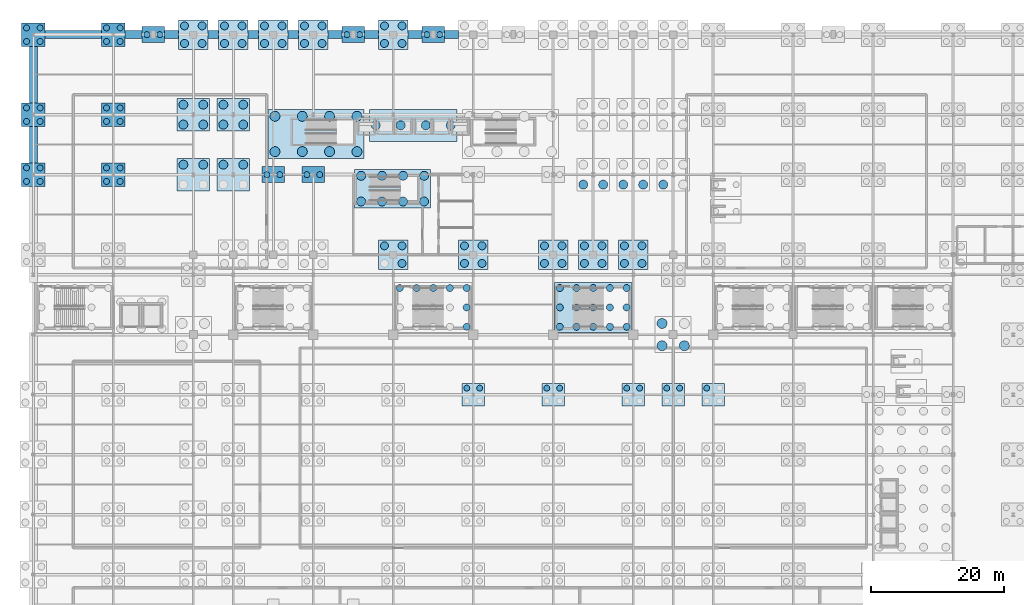
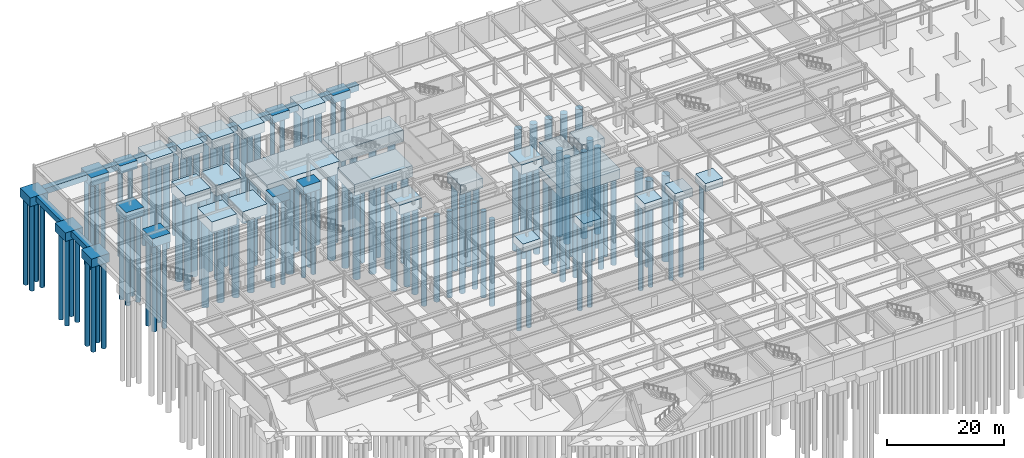
# One storey, part 4 of 47: 144 piles, 46 footings.
"""IFC4 building model written with IfcOpenShell, lengths in metres."""

import ifcopenshell
import ifcopenshell.guid

model = None  # the IFC model being written
_history = None  # IfcOwnerHistory: only IFC2X3 demands one
_inside = {}  # id of a spatial element -> (the spatial element, [elements in it])
_under = {}  # id of a project, library or spatial element -> (it, [spatial elements below it])
_declared = {}  # id of a project -> (the project, [libraries it declares])
_typed = {}  # id of a type object -> (the type object, [elements of that type])
_made_of = {}  # id of a material, layer set ... -> (it, [elements and type objects made of it])


def new_model(schema):
    """Start an empty IFC model of exactly this schema.

    Asked for "IFC4X3", IfcOpenShell would pick the latest addendum, in which some entities
    have other attributes; the version numbers below select the first issue.
    IFC2X3 requires an IfcOwnerHistory on every rooted entity: one is made here for all.
    """
    global model, _history
    if schema == "IFC4X3":
        model = ifcopenshell.file(schema_version=(4, 3, 0, 0))
    else:
        model = ifcopenshell.file(schema=schema)
    _inside.clear()
    _under.clear()
    _declared.clear()
    _typed.clear()
    _made_of.clear()
    _history = None
    if model.schema == "IFC2X3":
        org = make("IfcOrganization", Name="unknown")
        user = make(
            "IfcPersonAndOrganization",
            ThePerson=make("IfcPerson", FamilyName="unknown"),
            TheOrganization=org,
        )
        app = make(
            "IfcApplication",
            ApplicationDeveloper=org,
            Version="unknown",
            ApplicationFullName="unknown",
            ApplicationIdentifier="unknown",
        )
        _history = make(
            "IfcOwnerHistory",
            OwningUser=user,
            OwningApplication=app,
            ChangeAction="ADDED",
            CreationDate=0,
        )
    return model


def make(cls, **values):
    """One entity of the class cls with the attributes given. An attribute that is None is left unset."""
    return model.create_entity(
        cls, **{name: value for name, value in values.items() if value is not None}
    )


def rooted(cls, **values):
    """An entity with a GlobalId (a new one), such as an element, a storey or a relation."""
    return make(cls, GlobalId=ifcopenshell.guid.new(), OwnerHistory=_history, **values)


def si_unit(unit_type, name, prefix=None):
    """IfcSIUnit, for example si_unit("LENGTHUNIT", "METRE", prefix="MILLI")."""
    return make("IfcSIUnit", UnitType=unit_type, Prefix=prefix, Name=name)


def assignment(units):
    """IfcUnitAssignment: the units of a project."""
    return None if units is None else make("IfcUnitAssignment", Units=units)


def point(xyz):
    """IfcCartesianPoint."""
    return None if xyz is None else make("IfcCartesianPoint", Coordinates=xyz)


def direction(xyz):
    """IfcDirection."""
    return None if xyz is None else make("IfcDirection", DirectionRatios=xyz)


def frame(location, z_axis=None, x_axis=None):
    """IfcAxis2Placement3D, a coordinate frame: its origin and axes. An axis left out is left unset."""
    return make(
        "IfcAxis2Placement3D",
        Location=point(location),
        Axis=direction(z_axis),
        RefDirection=direction(x_axis),
    )


def frame_2d(location, x_axis=None):
    """IfcAxis2Placement2D, a coordinate frame in the plane: its origin and x axis."""
    return make(
        "IfcAxis2Placement2D", Location=point(location), RefDirection=direction(x_axis)
    )


def origin():
    """The frame at (0, 0, 0) with its axes left unset."""
    return frame((0.0, 0.0, 0.0))


def origin_2d():
    """The frame at (0, 0) in the plane with its x axis left unset."""
    return frame_2d((0.0, 0.0))


def place(relative_to, where):
    """IfcLocalPlacement: puts the frame where relative to a parent placement (None: the world)."""
    return make(
        "IfcLocalPlacement", PlacementRelTo=relative_to, RelativePlacement=where
    )


def context(
    kind, dimensions, precision=None, world=None, true_north=None, identifier=None
):
    """IfcGeometricRepresentationContext, for example the 3D "Model" context."""
    return make(
        "IfcGeometricRepresentationContext",
        ContextIdentifier=identifier,
        ContextType=kind,
        CoordinateSpaceDimension=dimensions,
        Precision=precision,
        WorldCoordinateSystem=world,
        TrueNorth=true_north,
    )


def subcontext(parent, identifier, kind, view, scale=None):
    """IfcGeometricRepresentationSubContext, for example "Body" below "Model"."""
    return make(
        "IfcGeometricRepresentationSubContext",
        ContextIdentifier=identifier,
        ContextType=kind,
        ParentContext=parent,
        TargetScale=scale,
        TargetView=view,
    )


def project(units=None, contexts=None):
    """IfcProject with its units and contexts."""
    return rooted(
        "IfcProject",
        Name="project",
        RepresentationContexts=contexts,
        UnitsInContext=assignment(units),
    )


def spatial(cls, under=None, at=None, **own):
    """A site, building, storey or space (cls), placed at a placement, below another one or the project."""
    s = rooted(cls, ObjectPlacement=at, **own)
    if under is not None:
        _under.setdefault(under.id(), (under, []))[1].append(s)
    return s


def profile(cls, at=None, kind="AREA", **sizes):
    """A parametric profile (cls). Its sizes go by their IFC names, for example OverallWidth=200.0."""
    return make(cls, ProfileType=kind, Position=at, **sizes)


def rectangle(**sizes):
    """IfcRectangleProfileDef."""
    return profile("IfcRectangleProfileDef", **sizes)


def circle(**sizes):
    """IfcCircleProfileDef."""
    return profile("IfcCircleProfileDef", **sizes)


def extrude(swept, where, along, depth):
    """IfcExtrudedAreaSolid: the profile swept, set in the frame where, extruded along a direction by depth."""
    return make(
        "IfcExtrudedAreaSolid",
        SweptArea=swept,
        Position=where,
        ExtrudedDirection=direction(along),
        Depth=depth,
    )


def shape(context_of_items, identifier, shape_type, items):
    """IfcShapeRepresentation: the items that make up one representation, for example the "Body"."""
    return make(
        "IfcShapeRepresentation",
        ContextOfItems=context_of_items,
        RepresentationIdentifier=identifier,
        RepresentationType=shape_type,
        Items=items,
    )


def material(Name=None, Category=None):
    """IfcMaterial."""
    return make("IfcMaterial", Name=Name, Category=Category)


def material_profile(
    of_material, cross_section, Name=None, Category=None, Priority=None
):
    """IfcMaterialProfile: a cross section and its material."""
    return make(
        "IfcMaterialProfile",
        Name=Name,
        Material=of_material,
        Profile=cross_section,
        Priority=Priority,
        Category=Category,
    )


def profile_set(profiles, Name=None, composite=None):
    """IfcMaterialProfileSet."""
    return make(
        "IfcMaterialProfileSet",
        Name=Name,
        MaterialProfiles=profiles,
        CompositeProfile=composite,
    )


def made_of(thing, what):
    """Note that an element or type object is made of a material, layer set ...; save() writes the relation."""
    if what is not None:
        _made_of.setdefault(what.id(), (what, []))[1].append(thing)
    return thing


def type_object(cls, material=None, **own):
    """A type object (cls), such as IfcWallType, which elements share."""
    return made_of(rooted(cls, **own), material)


def element(
    cls,
    number,
    at=None,
    inside=None,
    cuts=None,
    type_object=None,
    material=None,
    context=None,
    identifier="Body",
    shape_type=None,
    held_by="IfcProductDefinitionShape",
    body=None,
    shapes=None,
    **own,
):
    """One element of the class cls, such as IfcWall. Its Tag is "e" and its number.

    at: its placement. inside: the storey or other place that contains it. cuts: it is an
    opening in that element (IfcRelVoidsElement). A single representation is given by context,
    identifier, shape_type and body (its items); several are given by shapes. held_by: the class
    of the entity that holds the representations. save() writes the other relations.
    """
    e = rooted(cls, Tag="e%d" % number, ObjectPlacement=at, **own)
    if body is not None:
        shapes = [shape(context, identifier, shape_type, body)]
    if shapes is not None:
        e.Representation = make(held_by, Representations=shapes)
    if inside is not None:
        _inside.setdefault(inside.id(), (inside, []))[1].append(e)
    if cuts is not None:
        rooted(
            "IfcRelVoidsElement", RelatingBuildingElement=cuts, RelatedOpeningElement=e
        )
    if type_object is not None:
        _typed.setdefault(type_object.id(), (type_object, []))[1].append(e)
    return made_of(e, material)


def aggregate(whole, parts):
    """IfcRelAggregates: a whole, such as a stair, and the parts it consists of."""
    return rooted("IfcRelAggregates", RelatingObject=whole, RelatedObjects=parts)


def save(model, path):
    """Write the relations noted so far, then the file.

    IfcRelAggregates (storeys below a building ...), IfcRelContainedInSpatialStructure (elements
    in a storey), IfcRelDefinesByType, IfcRelAssociatesMaterial and IfcRelDeclares: one each for
    every whole, place, type object, material and project.
    """
    for whole, parts in _under.values():
        aggregate(whole, parts)
    for where, things in _inside.values():
        rooted(
            "IfcRelContainedInSpatialStructure",
            RelatedElements=things,
            RelatingStructure=where,
        )
    for kind, things in _typed.values():
        rooted("IfcRelDefinesByType", RelatedObjects=things, RelatingType=kind)
    for what, things in _made_of.values():
        rooted("IfcRelAssociatesMaterial", RelatedObjects=things, RelatingMaterial=what)
    for by, libraries in _declared.values():
        rooted("IfcRelDeclares", RelatingContext=by, RelatedDefinitions=libraries)
    model.write(path)


model = new_model("IFC4")

# Units and contexts
model_context = context("Model", 3, precision=1e-05, world=origin(), true_north=direction((0.0, 1.0)))
body_context = subcontext(model_context, "Body", "Model", "MODEL_VIEW")
ifc_project = project(units=[si_unit("LENGTHUNIT", "METRE"), si_unit("AREAUNIT", "SQUARE_METRE"), si_unit("VOLUMEUNIT", "CUBIC_METRE"), si_unit("PLANEANGLEUNIT", "RADIAN"), si_unit("MASSUNIT", "GRAM", prefix="KILO")], contexts=[model_context])

# Site, building, storey
site_placement = place(None, origin())
site = spatial("IfcSite", under=ifc_project, at=site_placement, CompositionType="ELEMENT")
building_placement = place(site_placement, origin())
building = spatial("IfcBuilding", under=site, at=building_placement, Name="Kaldorvane Square Convention Centre", CompositionType="ELEMENT")
storey_placement = place(building_placement, frame((0.0, 0.0, -5.399993896484375)))
storey = spatial("IfcBuildingStorey", under=building, at=storey_placement, Name="B01", CompositionType="ELEMENT", Elevation=-5.399993896484375)

# Footings
ifc_material = material(Name="Concrete f'c = 42 MPa (Normalweight)", Category="concrete")
footing_type_1 = type_object("IfcFootingType", Name="FT-FB-1200X1200", PredefinedType="FOOTING_BEAM", material=ifc_material)
footing_1_placement = place(storey_placement, frame((6.0, 117.0, -1.20001220703125), z_axis=(0.0, 0.0, 1.0), x_axis=(1.0, 0.0, 0.0)))
element("IfcFooting", 1, at=footing_1_placement, inside=storey, type_object=footing_type_1, Name="Seismic Footing Beam 010", PredefinedType="FOOTING_BEAM", context=body_context, shape_type="SweptSolid", body=[
    extrude(rectangle(XDim=8.5, YDim=1.1999969482421875, at=origin_2d()), origin(), (0.0, 0.0, 1.0), 1.1999969482421875),
])
footing_2_placement = place(storey_placement, frame((15.024993896484375, 117.0, -1.20001220703125), z_axis=(0.0, 0.0, 1.0), x_axis=(1.0, 0.0, 0.0)))
element("IfcFooting", 2, at=footing_2_placement, inside=storey, type_object=footing_type_1, Name="Seismic Footing Beam 011", PredefinedType="FOOTING_BEAM", context=body_context, shape_type="SweptSolid", body=[
    extrude(rectangle(XDim=2.5500030517578125, YDim=1.1999969482421875, at=origin_2d()), origin(), (0.0, 0.0, 1.0), 1.1999969482421875),
])
footing_3_placement = place(storey_placement, frame((20.75, 117.0, -1.20001220703125), z_axis=(0.0, 0.0, 1.0), x_axis=(1.0, 0.0, 0.0)))
element("IfcFooting", 3, at=footing_3_placement, inside=storey, type_object=footing_type_1, Name="Seismic Footing Beam 012", PredefinedType="FOOTING_BEAM", context=body_context, shape_type="SweptSolid", body=[
    extrude(rectangle(XDim=2.100006103515625, YDim=1.1999969482421875, at=origin_2d()), origin(), (0.0, 0.0, 1.0), 1.1999969482421875),
])
for number, where, z_axis, x_axis, name in (
    (4, (27.0, 117.0, -1.20001220703125), (0.0, 0.0, 1.0), (1.0, 0.0, 0.0), "Seismic Footing Beam 013"),
    (5, (33.0, 117.0, -1.20001220703125), (0.0, 0.0, 1.0), (1.0, 0.0, 0.0), "Seismic Footing Beam 014"),
    (6, (39.0, 117.0, -1.20001220703125), (0.0, 0.0, 1.0), (1.0, 0.0, 0.0), "Seismic Footing Beam 015"),
):
    element("IfcFooting", number, at=place(storey_placement, frame(where, z_axis=z_axis, x_axis=x_axis)), inside=storey, type_object=footing_type_1, Name=name, PredefinedType="FOOTING_BEAM", context=body_context, shape_type="SweptSolid", body=[
        extrude(rectangle(XDim=1.600006103515625, YDim=1.1999969482421875, at=origin_2d()), origin(), (0.0, 0.0, 1.0), 1.1999969482421875),
    ])
for number, where, z_axis, x_axis, name in (
    (7, (45.25, 117.0, -1.20001220703125), (0.0, 0.0, 1.0), (1.0, 0.0, 0.0), "Seismic Footing Beam 016"),
    (8, (50.75, 117.0, -1.20001220703125), (0.0, 0.0, 1.0), (1.0, 0.0, 0.0), "Seismic Footing Beam 017"),
    (9, (57.25, 117.0, -1.20001220703125), (0.0, 0.0, 1.0), (1.0, 0.0, 0.0), "Seismic Footing Beam 018"),
    (10, (62.75, 117.0, -1.20001220703125), (0.0, 0.0, 1.0), (1.0, 0.0, 0.0), "Seismic Footing Beam 019"),
):
    element("IfcFooting", number, at=place(storey_placement, frame(where, z_axis=z_axis, x_axis=x_axis)), inside=storey, type_object=footing_type_1, Name=name, PredefinedType="FOOTING_BEAM", context=body_context, shape_type="SweptSolid", body=[
        extrude(rectangle(XDim=2.100006103515625, YDim=1.1999969482421875, at=origin_2d()), origin(), (0.0, 0.0, 1.0), 1.1999969482421875),
    ])
footing_4_placement = place(storey_placement, frame((0.0, 100.5, -1.20001220703125), z_axis=(0.0, 0.0, 1.0), x_axis=(1.0, 0.0, 0.0)))
element("IfcFooting", 11, at=footing_4_placement, inside=storey, type_object=footing_type_1, Name="Seismic Footing Beam 043", PredefinedType="FOOTING_BEAM", context=body_context, shape_type="SweptSolid", body=[
    extrude(rectangle(XDim=1.1999969482421875, YDim=5.5, at=origin_2d()), origin(), (0.0, 0.0, 1.0), 1.1999969482421875),
])
footing_5_placement = place(storey_placement, frame((0.0, 111.0, -1.20001220703125), z_axis=(0.0, 0.0, 1.0), x_axis=(1.0, 0.0, 0.0)))
element("IfcFooting", 12, at=footing_5_placement, inside=storey, type_object=footing_type_1, Name="Seismic Footing Beam 044", PredefinedType="FOOTING_BEAM", context=body_context, shape_type="SweptSolid", body=[
    extrude(rectangle(XDim=1.1999969482421875, YDim=8.5, at=origin_2d()), origin(), (0.0, 0.0, 1.0), 1.1999969482421875),
])
footing_type_2 = type_object("IfcFootingType", Name="FT-PC-3400X2400", PredefinedType="PILE_CAP", material=ifc_material)
for number, where, z_axis, x_axis, name in (
    (13, (36.0, 96.0, -1.6500091552734375), (0.0, 0.0, 1.0), (1.0, 0.0, 0.0), "Pile Cap FC-38-058"),
    (14, (42.0, 96.0, -1.6500091552734375), (0.0, 0.0, 1.0), (1.0, 0.0, 0.0), "Pile Cap FC-38-072"),
    (15, (18.0, 117.0, -1.6500091552734375), (0.0, 0.0, 1.0), (1.0, 0.0, 0.0), "Pile Cap FC-38-261"),
    (16, (48.0, 117.0, -1.6500091552734375), (0.0, 0.0, 1.0), (1.0, 0.0, 0.0), "Pile Cap FC-38-263"),
    (17, (60.0, 117.0, -1.6500091552734375), (0.0, 0.0, 1.0), (1.0, 0.0, 0.0), "Pile Cap FC-38-265"),
):
    element("IfcFooting", number, at=place(storey_placement, frame(where, z_axis=z_axis, x_axis=x_axis)), inside=storey, type_object=footing_type_2, Name=name, PredefinedType="PILE_CAP", context=body_context, shape_type="SweptSolid", body=[
        extrude(rectangle(XDim=3.399993896484375, YDim=2.399993896484375, at=origin_2d()), origin(), (0.0, 0.0, 1.0), 1.649993896484375),
    ])
footing_type_3 = type_object("IfcFootingType", Name="FT-PC-3400X3400", PredefinedType="PILE_CAP", material=ifc_material)
for number, where, z_axis, x_axis, name in (
    (18, (66.0, 63.0, -1.70001220703125), (0.0, 0.0, 1.0), (1.0, 0.0, 0.0), "Pile Cap FC-37-095"),
    (19, (78.0, 63.0, -1.70001220703125), (0.0, 0.0, 1.0), (1.0, 0.0, 0.0), "Pile Cap FC-37-109"),
    (20, (90.0, 63.0, -1.70001220703125), (0.0, 0.0, 1.0), (1.0, 0.0, 0.0), "Pile Cap FC-37-127"),
    (21, (96.0, 63.0, -1.70001220703125), (0.0, 0.0, 1.0), (1.0, 0.0, 0.0), "Pile Cap FC-37-141"),
    (22, (102.0, 63.0, -1.70001220703125), (0.0, 0.0, 1.0), (1.0, 0.0, 0.0), "Pile Cap FC-37-155"),
):
    element("IfcFooting", number, at=place(storey_placement, frame(where, z_axis=z_axis, x_axis=x_axis)), inside=storey, type_object=footing_type_3, Name=name, PredefinedType="PILE_CAP", context=body_context, shape_type="SweptSolid", body=[
        extrude(rectangle(XDim=3.399993896484375, YDim=3.399993896484375, at=origin_2d()), origin(), (0.0, 0.0, 1.0), 1.6999969482421875),
    ])
footing_type_4 = type_object("IfcFootingType", Name="FT-PC-3500X3500", PredefinedType="PILE_CAP", material=ifc_material)
for number, where, z_axis, x_axis, name in (
    (23, (0.0, 96.0, -1.800018310546875), (0.0, 0.0, 1.0), (1.0, 0.0, 0.0), "Pile Cap FC-36-012"),
    (24, (0.0, 105.0, -1.800018310546875), (0.0, 0.0, 1.0), (1.0, 0.0, 0.0), "Pile Cap FC-36-013"),
    (25, (0.0, 117.0, -1.800018310546875), (0.0, 0.0, 1.0), (1.0, 0.0, 0.0), "Pile Cap FC-36-014"),
    (26, (12.0, 96.0, -1.800018310546875), (0.0, 0.0, 1.0), (1.0, 0.0, 0.0), "Pile Cap FC-36-026"),
    (27, (12.0, 105.0, -1.800018310546875), (0.0, 0.0, 1.0), (1.0, 0.0, 0.0), "Pile Cap FC-36-027"),
    (28, (12.0, 117.0, -1.800018310546875), (0.0, 0.0, 1.0), (1.0, 0.0, 0.0), "Pile Cap FC-36-028"),
):
    element("IfcFooting", number, at=place(storey_placement, frame(where, z_axis=z_axis, x_axis=x_axis)), inside=storey, type_object=footing_type_4, Name=name, PredefinedType="PILE_CAP", context=body_context, shape_type="SweptSolid", body=[
        extrude(rectangle(XDim=3.5, YDim=3.5, at=origin_2d()), origin(), (0.0, 0.0, 1.0), 1.8000030517578125),
    ])
footing_type_5 = type_object("IfcFootingType", Name="FT-PC-4400X4400", PredefinedType="PILE_CAP", material=ifc_material)
for number, where, z_axis, x_axis, name in (
    (29, (24.0, 117.0, -2.0), (0.0, 0.0, 1.0), (1.0, 0.0, 0.0), "Pile Cap FC-34-042"),
    (30, (30.0, 117.0, -2.0), (0.0, 0.0, 1.0), (1.0, 0.0, 0.0), "Pile Cap FC-34-056"),
    (31, (36.0, 117.0, -2.0), (0.0, 0.0, 1.0), (1.0, 0.0, 0.0), "Pile Cap FC-34-060"),
    (32, (42.0, 117.0, -2.0), (0.0, 0.0, 1.0), (1.0, 0.0, 0.0), "Pile Cap FC-34-074"),
    (33, (54.0, 84.0, -2.0), (0.0, 0.0, 1.0), (1.0, 0.0, 0.0), "Pile Cap FC-34-085"),
    (34, (54.0, 117.0, -2.0), (0.0, 0.0, 1.0), (1.0, 0.0, 0.0), "Pile Cap FC-34-087"),
    (35, (66.0, 84.0, -2.0), (0.0, 0.0, 1.0), (1.0, 0.0, 0.0), "Pile Cap FC-34-098"),
    (36, (78.0, 84.0, -2.0), (0.0, 0.0, 1.0), (1.0, 0.0, 0.0), "Pile Cap FC-34-112"),
    (37, (84.0, 84.0, -2.0), (0.0, 0.0, 1.0), (1.0, 0.0, 0.0), "Pile Cap FC-34-116"),
    (38, (90.0, 84.0, -2.0), (0.0, 0.0, 1.0), (1.0, 0.0, 0.0), "Pile Cap FC-34-130"),
):
    element("IfcFooting", number, at=place(storey_placement, frame(where, z_axis=z_axis, x_axis=x_axis)), inside=storey, type_object=footing_type_5, Name=name, PredefinedType="PILE_CAP", context=body_context, shape_type="SweptSolid", body=[
        extrude(rectangle(XDim=4.399993896484375, YDim=4.399993896484375, at=origin_2d()), origin(), (0.0, 0.0, 1.0), 2.0),
    ])
footing_type_6 = type_object("IfcFootingType", Name="FT-PC-4900X4900", PredefinedType="PILE_CAP", material=ifc_material)
for number, where, z_axis, x_axis, name in (
    (39, (24.0, 96.0, -2.20001220703125), (0.0, 0.0, 1.0), (1.0, 0.0, 0.0), "Pile Cap FC-33-040"),
    (40, (24.0, 105.0, -2.20001220703125), (0.0, 0.0, 1.0), (1.0, 0.0, 0.0), "Pile Cap FC-33-041"),
    (41, (30.0, 96.0, -2.20001220703125), (0.0, 0.0, 1.0), (1.0, 0.0, 0.0), "Pile Cap FC-33-054"),
    (42, (30.0, 105.0, -2.20001220703125), (0.0, 0.0, 1.0), (1.0, 0.0, 0.0), "Pile Cap FC-33-055"),
):
    element("IfcFooting", number, at=place(storey_placement, frame(where, z_axis=z_axis, x_axis=x_axis)), inside=storey, type_object=footing_type_6, Name=name, PredefinedType="PILE_CAP", context=body_context, shape_type="SweptSolid", body=[
        extrude(rectangle(XDim=4.899993896484375, YDim=4.899993896484375, at=origin_2d()), origin(), (0.0, 0.0, 1.0), 2.1999969482421875),
    ])
footing_type_7 = type_object("IfcFootingType", Name="FT-PC-CORE-TP", PredefinedType="PILE_CAP", material=ifc_material)
footing_6_placement = place(storey_placement, frame((57.0, 103.39999389648438, -2.4000091552734375), z_axis=(0.0, 0.0, 1.0), x_axis=(1.0, 0.0, 0.0)))
element("IfcFooting", 43, at=footing_6_placement, inside=storey, type_object=footing_type_7, Name="Core Pile Cap FC-02", PredefinedType="PILE_CAP", context=body_context, shape_type="SweptSolid", body=[
    extrude(rectangle(XDim=13.199996948242188, YDim=4.8000030517578125, at=origin_2d()), origin(), (0.0, 0.0, 1.0), 2.399993896484375),
])
footing_type_8 = type_object("IfcFootingType", Name="FT-PC-CORE-TS", PredefinedType="PILE_CAP", material=ifc_material)
footing_7_placement = place(storey_placement, frame((53.899993896484375, 93.89999389648438, -2.300018310546875), z_axis=(0.0, 0.0, 1.0), x_axis=(1.0, 0.0, 0.0)))
element("IfcFooting", 44, at=footing_7_placement, inside=storey, type_object=footing_type_8, Name="Core Pile Cap FC-04", PredefinedType="PILE_CAP", context=body_context, shape_type="SweptSolid", body=[
    extrude(rectangle(XDim=11.399993896484375, YDim=5.8000030517578125, at=origin_2d()), origin(), (0.0, 0.0, 1.0), 2.3000030517578125),
])
footing_type_9 = type_object("IfcFootingType", Name="FT-PC-CORE-TW", PredefinedType="PILE_CAP", material=ifc_material)
footing_8_placement = place(storey_placement, frame((42.399993896484375, 102.10000610351562, -2.600006103515625), z_axis=(0.0, 0.0, 1.0), x_axis=(1.0, 0.0, 0.0)))
element("IfcFooting", 45, at=footing_8_placement, inside=storey, type_object=footing_type_9, Name="Core Pile Cap FC-01", PredefinedType="PILE_CAP", context=body_context, shape_type="SweptSolid", body=[
    extrude(rectangle(XDim=14.399993896484375, YDim=7.399993896484375, at=origin_2d()), origin(), (0.0, 0.0, 1.0), 2.600006103515625),
])
footing_type_10 = type_object("IfcFootingType", Name="FT-PC-STAIR-ST-C15", PredefinedType="PILE_CAP", material=ifc_material)
footing_9_placement = place(storey_placement, frame((84.0, 76.08000183105469, -1.95001220703125), z_axis=(0.0, 0.0, 1.0), x_axis=(1.0, 0.0, 0.0)))
element("IfcFooting", 46, at=footing_9_placement, inside=storey, type_object=footing_type_10, Name="Core Pile Cap FC-20", PredefinedType="PILE_CAP", context=body_context, shape_type="SweptSolid", body=[
    extrude(rectangle(XDim=11.67999267578125, YDim=7.4600067138671875, at=origin_2d()), origin(), (0.0, 0.0, 1.0), 1.9499969482421875),
])

# Piles
ifc_material_profile_1 = material_profile(ifc_material, circle(Radius=0.524993896484375, at=origin_2d()), Name="PILE-D1050")
ifc_profile_set_1 = profile_set([ifc_material_profile_1], Name="Concrete f'c = 42 MPa (Normalweight)")
pile_type_1 = type_object("IfcPileType", Name="PL-CIDH-1050", PredefinedType="BORED", material=ifc_profile_set_1)
for number, where, z_axis, x_axis, name in (
    (47, (54.98500061035156, 78.98500061035156, -2.100006103515625), (0.0, 0.0, -1.0), (1.0, 0.0, 0.0), "Bored Pile 0229"),
    (48, (57.49249267578125, 78.98500061035156, -2.100006103515625), (0.0, 0.0, -1.0), (1.0, 0.0, 0.0), "Bored Pile 0232"),
    (49, (60.0, 78.98500061035156, -2.100006103515625), (0.0, 0.0, -1.0), (1.0, 0.0, 0.0), "Bored Pile 0235"),
    (50, (62.50750732421875, 78.98500061035156, -2.100006103515625), (0.0, 0.0, -1.0), (1.0, 0.0, 0.0), "Bored Pile 0238"),
    (51, (65.01499938964844, 73.17500305175781, -2.100006103515625), (0.0, 0.0, -1.0), (1.0, 0.0, 0.0), "Bored Pile 0239"),
    (52, (65.01499938964844, 76.08000183105469, -2.100006103515625), (0.0, 0.0, -1.0), (1.0, 0.0, 0.0), "Bored Pile 0240"),
    (53, (65.01499938964844, 78.98500061035156, -2.100006103515625), (0.0, 0.0, -1.0), (1.0, 0.0, 0.0), "Bored Pile 0241"),
    (54, (78.98500061035156, 73.17500305175781, -1.95001220703125), (0.0, 0.0, -1.0), (1.0, 0.0, 0.0), "Bored Pile 0242"),
    (55, (78.98500061035156, 76.08000183105469, -1.95001220703125), (0.0, 0.0, -1.0), (1.0, 0.0, 0.0), "Bored Pile 0243"),
    (56, (78.98500061035156, 78.98500061035156, -1.95001220703125), (0.0, 0.0, -1.0), (1.0, 0.0, 0.0), "Bored Pile 0244"),
    (57, (81.49249267578125, 73.17500305175781, -1.95001220703125), (0.0, 0.0, -1.0), (1.0, 0.0, 0.0), "Bored Pile 0245"),
    (58, (81.49249267578125, 76.08000183105469, -1.95001220703125), (0.0, 0.0, -1.0), (1.0, 0.0, 0.0), "Bored Pile 0246"),
    (59, (81.49249267578125, 78.98500061035156, -1.95001220703125), (0.0, 0.0, -1.0), (1.0, 0.0, 0.0), "Bored Pile 0247"),
    (60, (84.0, 73.17500305175781, -1.95001220703125), (0.0, 0.0, -1.0), (1.0, 0.0, 0.0), "Bored Pile 0248"),
    (61, (84.0, 76.08000183105469, -1.95001220703125), (0.0, 0.0, -1.0), (1.0, 0.0, 0.0), "Bored Pile 0249"),
    (62, (84.0, 78.98500061035156, -1.95001220703125), (0.0, 0.0, -1.0), (1.0, 0.0, 0.0), "Bored Pile 0250"),
    (63, (86.50750732421875, 73.17500305175781, -1.95001220703125), (0.0, 0.0, -1.0), (1.0, 0.0, 0.0), "Bored Pile 0251"),
    (64, (86.50750732421875, 76.08000183105469, -1.95001220703125), (0.0, 0.0, -1.0), (1.0, 0.0, 0.0), "Bored Pile 0252"),
    (65, (86.50750732421875, 78.98500061035156, -1.95001220703125), (0.0, 0.0, -1.0), (1.0, 0.0, 0.0), "Bored Pile 0253"),
    (66, (89.01499938964844, 73.17500305175781, -1.95001220703125), (0.0, 0.0, -1.0), (1.0, 0.0, 0.0), "Bored Pile 0254"),
    (67, (89.01499938964844, 76.08000183105469, -1.95001220703125), (0.0, 0.0, -1.0), (1.0, 0.0, 0.0), "Bored Pile 0255"),
    (68, (89.01499938964844, 78.98500061035156, -1.95001220703125), (0.0, 0.0, -1.0), (1.0, 0.0, 0.0), "Bored Pile 0256"),
):
    element("IfcPile", number, at=place(storey_placement, frame(where, z_axis=z_axis, x_axis=x_axis)), inside=storey, type_object=pile_type_1, Name=name, PredefinedType="BORED", context=body_context, shape_type="SweptSolid", body=[
        extrude(circle(Radius=0.524993896484375, at=origin_2d()), origin(), (0.0, 0.0, 1.0), 18.0),
    ])
ifc_material_profile_2 = material_profile(ifc_material, circle(Radius=0.600006103515625, at=origin_2d()), Name="PILE-D1200")
ifc_profile_set_2 = profile_set([ifc_material_profile_2], Name="Concrete f'c = 42 MPa (Normalweight)")
pile_type_2 = type_object("IfcPileType", Name="PL-CIDH-1200", PredefinedType="BORED", material=ifc_profile_set_2)
for number, where, z_axis, x_axis, name in (
    (69, (22.67999267578125, 115.67999267578125, -2.0), (0.0, 0.0, -1.0), (1.0, 0.0, 0.0), "Bored Pile 0428"),
    (70, (22.67999267578125, 118.32000732421875, -2.0), (0.0, 0.0, -1.0), (1.0, 0.0, 0.0), "Bored Pile 0429"),
    (71, (25.32000732421875, 115.67999267578125, -2.0), (0.0, 0.0, -1.0), (1.0, 0.0, 0.0), "Bored Pile 0430"),
    (72, (25.32000732421875, 118.32000732421875, -2.0), (0.0, 0.0, -1.0), (1.0, 0.0, 0.0), "Bored Pile 0431"),
    (73, (28.67999267578125, 115.67999267578125, -2.0), (0.0, 0.0, -1.0), (1.0, 0.0, 0.0), "Bored Pile 0466"),
    (74, (28.67999267578125, 118.32000732421875, -2.0), (0.0, 0.0, -1.0), (1.0, 0.0, 0.0), "Bored Pile 0467"),
    (75, (31.32000732421875, 115.67999267578125, -2.0), (0.0, 0.0, -1.0), (1.0, 0.0, 0.0), "Bored Pile 0468"),
    (76, (31.32000732421875, 118.32000732421875, -2.0), (0.0, 0.0, -1.0), (1.0, 0.0, 0.0), "Bored Pile 0469"),
    (77, (34.67999267578125, 115.67999267578125, -2.0), (0.0, 0.0, -1.0), (1.0, 0.0, 0.0), "Bored Pile 0476"),
    (78, (34.67999267578125, 118.32000732421875, -2.0), (0.0, 0.0, -1.0), (1.0, 0.0, 0.0), "Bored Pile 0477"),
    (79, (37.32000732421875, 115.67999267578125, -2.0), (0.0, 0.0, -1.0), (1.0, 0.0, 0.0), "Bored Pile 0478"),
    (80, (37.32000732421875, 118.32000732421875, -2.0), (0.0, 0.0, -1.0), (1.0, 0.0, 0.0), "Bored Pile 0479"),
    (81, (40.67999267578125, 115.67999267578125, -2.0), (0.0, 0.0, -1.0), (1.0, 0.0, 0.0), "Bored Pile 0510"),
    (82, (40.67999267578125, 118.32000732421875, -2.0), (0.0, 0.0, -1.0), (1.0, 0.0, 0.0), "Bored Pile 0511"),
    (83, (43.32000732421875, 115.67999267578125, -2.0), (0.0, 0.0, -1.0), (1.0, 0.0, 0.0), "Bored Pile 0512"),
    (84, (43.32000732421875, 118.32000732421875, -2.0), (0.0, 0.0, -1.0), (1.0, 0.0, 0.0), "Bored Pile 0513"),
    (85, (52.67999267578125, 85.32000732421875, -2.0), (0.0, 0.0, -1.0), (1.0, 0.0, 0.0), "Bored Pile 0539"),
    (86, (55.32000732421875, 82.67999267578125, -2.0), (0.0, 0.0, -1.0), (1.0, 0.0, 0.0), "Bored Pile 0540"),
    (87, (55.32000732421875, 85.32000732421875, -2.0), (0.0, 0.0, -1.0), (1.0, 0.0, 0.0), "Bored Pile 0541"),
    (88, (52.67999267578125, 115.67999267578125, -2.0), (0.0, 0.0, -1.0), (1.0, 0.0, 0.0), "Bored Pile 0542"),
    (89, (52.67999267578125, 118.32000732421875, -2.0), (0.0, 0.0, -1.0), (1.0, 0.0, 0.0), "Bored Pile 0543"),
    (90, (55.32000732421875, 115.67999267578125, -2.0), (0.0, 0.0, -1.0), (1.0, 0.0, 0.0), "Bored Pile 0544"),
    (91, (55.32000732421875, 118.32000732421875, -2.0), (0.0, 0.0, -1.0), (1.0, 0.0, 0.0), "Bored Pile 0545"),
    (92, (64.67999267578125, 82.67999267578125, -2.0), (0.0, 0.0, -1.0), (1.0, 0.0, 0.0), "Bored Pile 0570"),
    (93, (64.67999267578125, 85.32000732421875, -2.0), (0.0, 0.0, -1.0), (1.0, 0.0, 0.0), "Bored Pile 0571"),
    (94, (67.32000732421875, 82.67999267578125, -2.0), (0.0, 0.0, -1.0), (1.0, 0.0, 0.0), "Bored Pile 0572"),
    (95, (67.32000732421875, 85.32000732421875, -2.0), (0.0, 0.0, -1.0), (1.0, 0.0, 0.0), "Bored Pile 0573"),
    (96, (76.67999267578125, 82.67999267578125, -2.0), (0.0, 0.0, -1.0), (1.0, 0.0, 0.0), "Bored Pile 0604"),
    (97, (76.67999267578125, 85.32000732421875, -2.0), (0.0, 0.0, -1.0), (1.0, 0.0, 0.0), "Bored Pile 0605"),
    (98, (79.32000732421875, 82.67999267578125, -2.0), (0.0, 0.0, -1.0), (1.0, 0.0, 0.0), "Bored Pile 0606"),
    (99, (79.32000732421875, 85.32000732421875, -2.0), (0.0, 0.0, -1.0), (1.0, 0.0, 0.0), "Bored Pile 0607"),
    (100, (82.67999267578125, 82.67999267578125, -2.0), (0.0, 0.0, -1.0), (1.0, 0.0, 0.0), "Bored Pile 0614"),
    (101, (82.67999267578125, 85.32000732421875, -2.0), (0.0, 0.0, -1.0), (1.0, 0.0, 0.0), "Bored Pile 0615"),
    (102, (85.32000732421875, 82.67999267578125, -2.0), (0.0, 0.0, -1.0), (1.0, 0.0, 0.0), "Bored Pile 0616"),
    (103, (85.32000732421875, 85.32000732421875, -2.0), (0.0, 0.0, -1.0), (1.0, 0.0, 0.0), "Bored Pile 0617"),
    (104, (88.67999267578125, 82.67999267578125, -2.0), (0.0, 0.0, -1.0), (1.0, 0.0, 0.0), "Bored Pile 0662"),
    (105, (88.67999267578125, 85.32000732421875, -2.0), (0.0, 0.0, -1.0), (1.0, 0.0, 0.0), "Bored Pile 0663"),
    (106, (91.32000732421875, 82.67999267578125, -2.0), (0.0, 0.0, -1.0), (1.0, 0.0, 0.0), "Bored Pile 0664"),
    (107, (91.32000732421875, 85.32000732421875, -2.0), (0.0, 0.0, -1.0), (1.0, 0.0, 0.0), "Bored Pile 0665"),
):
    element("IfcPile", number, at=place(storey_placement, frame(where, z_axis=z_axis, x_axis=x_axis)), inside=storey, type_object=pile_type_2, Name=name, PredefinedType="BORED", context=body_context, shape_type="SweptSolid", body=[
        extrude(circle(Radius=0.600006103515625, at=origin_2d()), origin(), (0.0, 0.0, 1.0), 18.0),
    ])
ifc_material_profile_3 = material_profile(ifc_material, circle(Radius=0.6750030517578125, at=origin_2d()), Name="PILE-D1350")
ifc_profile_set_3 = profile_set([ifc_material_profile_3], Name="Concrete f'c = 42 MPa (Normalweight)")
pile_type_3 = type_object("IfcPileType", Name="PL-CIDH-1350", PredefinedType="BORED", material=ifc_profile_set_3)
for number, where, z_axis, x_axis, name in (
    (108, (51.375, 103.39999389648438, -2.4000091552734375), (0.0, 0.0, -1.0), (1.0, 0.0, 0.0), "Bored Pile 0009"),
    (109, (55.125, 103.39999389648438, -2.4000091552734375), (0.0, 0.0, -1.0), (1.0, 0.0, 0.0), "Bored Pile 0010"),
    (110, (58.875, 103.39999389648438, -2.4000091552734375), (0.0, 0.0, -1.0), (1.0, 0.0, 0.0), "Bored Pile 0011"),
    (111, (62.625, 103.39999389648438, -2.4000091552734375), (0.0, 0.0, -1.0), (1.0, 0.0, 0.0), "Bored Pile 0012"),
    (112, (49.17500305175781, 91.97500610351562, -2.3000030517578125), (0.0, 0.0, -1.0), (1.0, 0.0, 0.0), "Bored Pile 0021"),
    (113, (49.17500305175781, 95.82499694824219, -2.3000030517578125), (0.0, 0.0, -1.0), (1.0, 0.0, 0.0), "Bored Pile 0022"),
    (114, (52.32499694824219, 91.97500610351562, -2.3000030517578125), (0.0, 0.0, -1.0), (1.0, 0.0, 0.0), "Bored Pile 0023"),
    (115, (52.32499694824219, 95.82499694824219, -2.3000030517578125), (0.0, 0.0, -1.0), (1.0, 0.0, 0.0), "Bored Pile 0024"),
    (116, (55.475006103515625, 91.97500610351562, -2.3000030517578125), (0.0, 0.0, -1.0), (1.0, 0.0, 0.0), "Bored Pile 0025"),
    (117, (55.475006103515625, 95.82499694824219, -2.3000030517578125), (0.0, 0.0, -1.0), (1.0, 0.0, 0.0), "Bored Pile 0026"),
    (118, (58.625, 91.97500610351562, -2.3000030517578125), (0.0, 0.0, -1.0), (1.0, 0.0, 0.0), "Bored Pile 0027"),
    (119, (58.625, 95.82499694824219, -2.3000030517578125), (0.0, 0.0, -1.0), (1.0, 0.0, 0.0), "Bored Pile 0028"),
    (120, (22.5050048828125, 97.4949951171875, -2.20001220703125), (0.0, 0.0, -1.0), (1.0, 0.0, 0.0), "Bored Pile 0421"),
    (121, (25.4949951171875, 97.4949951171875, -2.20001220703125), (0.0, 0.0, -1.0), (1.0, 0.0, 0.0), "Bored Pile 0423"),
    (122, (22.5050048828125, 103.5050048828125, -2.20001220703125), (0.0, 0.0, -1.0), (1.0, 0.0, 0.0), "Bored Pile 0424"),
    (123, (22.5050048828125, 106.4949951171875, -2.20001220703125), (0.0, 0.0, -1.0), (1.0, 0.0, 0.0), "Bored Pile 0425"),
    (124, (25.4949951171875, 103.5050048828125, -2.20001220703125), (0.0, 0.0, -1.0), (1.0, 0.0, 0.0), "Bored Pile 0426"),
    (125, (25.4949951171875, 106.4949951171875, -2.20001220703125), (0.0, 0.0, -1.0), (1.0, 0.0, 0.0), "Bored Pile 0427"),
    (126, (28.5050048828125, 97.4949951171875, -2.20001220703125), (0.0, 0.0, -1.0), (1.0, 0.0, 0.0), "Bored Pile 0459"),
    (127, (31.4949951171875, 97.4949951171875, -2.20001220703125), (0.0, 0.0, -1.0), (1.0, 0.0, 0.0), "Bored Pile 0461"),
    (128, (28.5050048828125, 103.5050048828125, -2.20001220703125), (0.0, 0.0, -1.0), (1.0, 0.0, 0.0), "Bored Pile 0462"),
    (129, (28.5050048828125, 106.4949951171875, -2.20001220703125), (0.0, 0.0, -1.0), (1.0, 0.0, 0.0), "Bored Pile 0463"),
    (130, (31.4949951171875, 103.5050048828125, -2.20001220703125), (0.0, 0.0, -1.0), (1.0, 0.0, 0.0), "Bored Pile 0464"),
    (131, (31.4949951171875, 106.4949951171875, -2.20001220703125), (0.0, 0.0, -1.0), (1.0, 0.0, 0.0), "Bored Pile 0465"),
    (132, (82.5050048828125, 94.5050048828125, -2.20001220703125), (0.0, 0.0, -1.0), (1.0, 0.0, 0.0), "Bored Pile 0618"),
    (133, (85.4949951171875, 94.5050048828125, -2.20001220703125), (0.0, 0.0, -1.0), (1.0, 0.0, 0.0), "Bored Pile 0620"),
    (134, (88.5050048828125, 94.5050048828125, -2.20001220703125), (0.0, 0.0, -1.0), (1.0, 0.0, 0.0), "Bored Pile 0666"),
    (135, (91.4949951171875, 94.5050048828125, -2.20001220703125), (0.0, 0.0, -1.0), (1.0, 0.0, 0.0), "Bored Pile 0668"),
    (136, (94.5050048828125, 94.5050048828125, -2.20001220703125), (0.0, 0.0, -1.0), (1.0, 0.0, 0.0), "Bored Pile 0716"),
):
    element("IfcPile", number, at=place(storey_placement, frame(where, z_axis=z_axis, x_axis=x_axis)), inside=storey, type_object=pile_type_3, Name=name, PredefinedType="BORED", context=body_context, shape_type="SweptSolid", body=[
        extrude(circle(Radius=0.6750030517578125, at=origin_2d()), origin(), (0.0, 0.0, 1.0), 18.0),
    ])
ifc_material_profile_4 = material_profile(ifc_material, circle(Radius=0.75, at=origin_2d()), Name="PILE-D1500")
ifc_profile_set_4 = profile_set([ifc_material_profile_4], Name="Concrete f'c = 42 MPa (Normalweight)")
pile_type_4 = type_object("IfcPileType", Name="PL-CIDH-1500", PredefinedType="BORED", material=ifc_profile_set_4)
for number, where, z_axis, x_axis, name in (
    (137, (36.25, 99.44999694824219, -2.600006103515625), (0.0, 0.0, -1.0), (1.0, 0.0, 0.0), "Bored Pile 0001"),
    (138, (36.25, 104.75, -2.600006103515625), (0.0, 0.0, -1.0), (1.0, 0.0, 0.0), "Bored Pile 0002"),
    (139, (40.350006103515625, 99.44999694824219, -2.600006103515625), (0.0, 0.0, -1.0), (1.0, 0.0, 0.0), "Bored Pile 0003"),
    (140, (40.350006103515625, 104.75, -2.600006103515625), (0.0, 0.0, -1.0), (1.0, 0.0, 0.0), "Bored Pile 0004"),
    (141, (44.44999694824219, 99.44999694824219, -2.600006103515625), (0.0, 0.0, -1.0), (1.0, 0.0, 0.0), "Bored Pile 0005"),
    (142, (44.44999694824219, 104.75, -2.600006103515625), (0.0, 0.0, -1.0), (1.0, 0.0, 0.0), "Bored Pile 0006"),
    (143, (48.55000305175781, 99.44999694824219, -2.600006103515625), (0.0, 0.0, -1.0), (1.0, 0.0, 0.0), "Bored Pile 0007"),
    (144, (48.55000305175781, 104.75, -2.600006103515625), (0.0, 0.0, -1.0), (1.0, 0.0, 0.0), "Bored Pile 0008"),
    (145, (94.33000183105469, 70.33000183105469, -2.4000091552734375), (0.0, 0.0, -1.0), (1.0, 0.0, 0.0), "Bored Pile 0708"),
    (146, (94.33000183105469, 73.66999816894531, -2.4000091552734375), (0.0, 0.0, -1.0), (1.0, 0.0, 0.0), "Bored Pile 0709"),
    (147, (97.66999816894531, 70.33000183105469, -2.4000091552734375), (0.0, 0.0, -1.0), (1.0, 0.0, 0.0), "Bored Pile 0710"),
):
    element("IfcPile", number, at=place(storey_placement, frame(where, z_axis=z_axis, x_axis=x_axis)), inside=storey, type_object=pile_type_4, Name=name, PredefinedType="BORED", context=body_context, shape_type="SweptSolid", body=[
        extrude(circle(Radius=0.75, at=origin_2d()), origin(), (0.0, 0.0, 1.0), 18.0),
    ])
ifc_material_profile_5 = material_profile(ifc_material, circle(Radius=0.4499969482421875, at=origin_2d()), Name="PILE-D900")
ifc_profile_set_5 = profile_set([ifc_material_profile_5], Name="Concrete f'c = 42 MPa (Normalweight)")
pile_type_5 = type_object("IfcPileType", Name="PL-CIDH-900", PredefinedType="BORED", material=ifc_profile_set_5)
for number, where, z_axis, x_axis, name in (
    (148, (-1.0200042724609375, 94.97999572753906, -1.8000030517578125), (0.0, 0.0, -1.0), (1.0, 0.0, 0.0), "Bored Pile 0336"),
    (149, (-1.0200042724609375, 97.02000427246094, -1.8000030517578125), (0.0, 0.0, -1.0), (1.0, 0.0, 0.0), "Bored Pile 0337"),
    (150, (1.0200042724609375, 94.97999572753906, -1.8000030517578125), (0.0, 0.0, -1.0), (1.0, 0.0, 0.0), "Bored Pile 0338"),
    (151, (1.0200042724609375, 97.02000427246094, -1.8000030517578125), (0.0, 0.0, -1.0), (1.0, 0.0, 0.0), "Bored Pile 0339"),
    (152, (-1.0200042724609375, 103.97999572753906, -1.8000030517578125), (0.0, 0.0, -1.0), (1.0, 0.0, 0.0), "Bored Pile 0340"),
    (153, (-1.0200042724609375, 106.02000427246094, -1.8000030517578125), (0.0, 0.0, -1.0), (1.0, 0.0, 0.0), "Bored Pile 0341"),
    (154, (1.0200042724609375, 103.97999572753906, -1.8000030517578125), (0.0, 0.0, -1.0), (1.0, 0.0, 0.0), "Bored Pile 0342"),
    (155, (1.0200042724609375, 106.02000427246094, -1.8000030517578125), (0.0, 0.0, -1.0), (1.0, 0.0, 0.0), "Bored Pile 0343"),
    (156, (-1.0200042724609375, 115.97999572753906, -1.8000030517578125), (0.0, 0.0, -1.0), (1.0, 0.0, 0.0), "Bored Pile 0344"),
    (157, (-1.0200042724609375, 118.02000427246094, -1.8000030517578125), (0.0, 0.0, -1.0), (1.0, 0.0, 0.0), "Bored Pile 0345"),
    (158, (1.0200042724609375, 115.97999572753906, -1.8000030517578125), (0.0, 0.0, -1.0), (1.0, 0.0, 0.0), "Bored Pile 0346"),
    (159, (1.0200042724609375, 118.02000427246094, -1.8000030517578125), (0.0, 0.0, -1.0), (1.0, 0.0, 0.0), "Bored Pile 0347"),
    (160, (10.979995727539062, 94.97999572753906, -1.8000030517578125), (0.0, 0.0, -1.0), (1.0, 0.0, 0.0), "Bored Pile 0376"),
    (161, (10.979995727539062, 97.02000427246094, -1.8000030517578125), (0.0, 0.0, -1.0), (1.0, 0.0, 0.0), "Bored Pile 0377"),
    (162, (13.020004272460938, 94.97999572753906, -1.8000030517578125), (0.0, 0.0, -1.0), (1.0, 0.0, 0.0), "Bored Pile 0378"),
    (163, (13.020004272460938, 97.02000427246094, -1.8000030517578125), (0.0, 0.0, -1.0), (1.0, 0.0, 0.0), "Bored Pile 0379"),
    (164, (10.979995727539062, 103.97999572753906, -1.8000030517578125), (0.0, 0.0, -1.0), (1.0, 0.0, 0.0), "Bored Pile 0380"),
    (165, (10.979995727539062, 106.02000427246094, -1.8000030517578125), (0.0, 0.0, -1.0), (1.0, 0.0, 0.0), "Bored Pile 0381"),
    (166, (13.020004272460938, 103.97999572753906, -1.8000030517578125), (0.0, 0.0, -1.0), (1.0, 0.0, 0.0), "Bored Pile 0382"),
    (167, (13.020004272460938, 106.02000427246094, -1.8000030517578125), (0.0, 0.0, -1.0), (1.0, 0.0, 0.0), "Bored Pile 0383"),
    (168, (10.979995727539062, 115.97999572753906, -1.8000030517578125), (0.0, 0.0, -1.0), (1.0, 0.0, 0.0), "Bored Pile 0384"),
    (169, (10.979995727539062, 118.02000427246094, -1.8000030517578125), (0.0, 0.0, -1.0), (1.0, 0.0, 0.0), "Bored Pile 0385"),
    (170, (13.020004272460938, 115.97999572753906, -1.8000030517578125), (0.0, 0.0, -1.0), (1.0, 0.0, 0.0), "Bored Pile 0386"),
    (171, (13.020004272460938, 118.02000427246094, -1.8000030517578125), (0.0, 0.0, -1.0), (1.0, 0.0, 0.0), "Bored Pile 0387"),
    (172, (35.029998779296875, 96.0, -1.6500091552734375), (0.0, 0.0, -1.0), (1.0, 0.0, 0.0), "Bored Pile 0474"),
    (173, (36.970001220703125, 96.0, -1.6500091552734375), (0.0, 0.0, -1.0), (1.0, 0.0, 0.0), "Bored Pile 0475"),
    (174, (41.029998779296875, 96.0, -1.6500091552734375), (0.0, 0.0, -1.0), (1.0, 0.0, 0.0), "Bored Pile 0508"),
    (175, (42.970001220703125, 96.0, -1.6500091552734375), (0.0, 0.0, -1.0), (1.0, 0.0, 0.0), "Bored Pile 0509"),
    (176, (65.02999877929688, 63.970001220703125, -1.70001220703125), (0.0, 0.0, -1.0), (1.0, 0.0, 0.0), "Bored Pile 0567"),
    (177, (66.97000122070312, 63.970001220703125, -1.70001220703125), (0.0, 0.0, -1.0), (1.0, 0.0, 0.0), "Bored Pile 0569"),
    (178, (77.02999877929688, 63.970001220703125, -1.70001220703125), (0.0, 0.0, -1.0), (1.0, 0.0, 0.0), "Bored Pile 0601"),
    (179, (78.97000122070312, 63.970001220703125, -1.70001220703125), (0.0, 0.0, -1.0), (1.0, 0.0, 0.0), "Bored Pile 0603"),
    (180, (89.02999877929688, 63.970001220703125, -1.70001220703125), (0.0, 0.0, -1.0), (1.0, 0.0, 0.0), "Bored Pile 0659"),
    (181, (90.97000122070312, 63.970001220703125, -1.70001220703125), (0.0, 0.0, -1.0), (1.0, 0.0, 0.0), "Bored Pile 0661"),
    (182, (95.02999877929688, 63.970001220703125, -1.70001220703125), (0.0, 0.0, -1.0), (1.0, 0.0, 0.0), "Bored Pile 0705"),
    (183, (96.97000122070312, 63.970001220703125, -1.70001220703125), (0.0, 0.0, -1.0), (1.0, 0.0, 0.0), "Bored Pile 0707"),
    (184, (101.02999877929688, 63.970001220703125, -1.70001220703125), (0.0, 0.0, -1.0), (1.0, 0.0, 0.0), "Bored Pile 0749"),
    (185, (17.029998779296875, 117.0, -1.6500091552734375), (0.0, 0.0, -1.0), (1.0, 0.0, 0.0), "Bored Pile 1064"),
    (186, (18.970001220703125, 117.0, -1.6500091552734375), (0.0, 0.0, -1.0), (1.0, 0.0, 0.0), "Bored Pile 1065"),
    (187, (47.029998779296875, 117.0, -1.6500091552734375), (0.0, 0.0, -1.0), (1.0, 0.0, 0.0), "Bored Pile 1066"),
    (188, (48.970001220703125, 117.0, -1.6500091552734375), (0.0, 0.0, -1.0), (1.0, 0.0, 0.0), "Bored Pile 1067"),
    (189, (59.029998779296875, 117.0, -1.6500091552734375), (0.0, 0.0, -1.0), (1.0, 0.0, 0.0), "Bored Pile 1068"),
    (190, (60.970001220703125, 117.0, -1.6500091552734375), (0.0, 0.0, -1.0), (1.0, 0.0, 0.0), "Bored Pile 1069"),
):
    element("IfcPile", number, at=place(storey_placement, frame(where, z_axis=z_axis, x_axis=x_axis)), inside=storey, type_object=pile_type_5, Name=name, PredefinedType="BORED", context=body_context, shape_type="SweptSolid", body=[
        extrude(circle(Radius=0.4499969482421875, at=origin_2d()), origin(), (0.0, 0.0, 1.0), 18.0),
    ])

save(model, "model.ifc")
